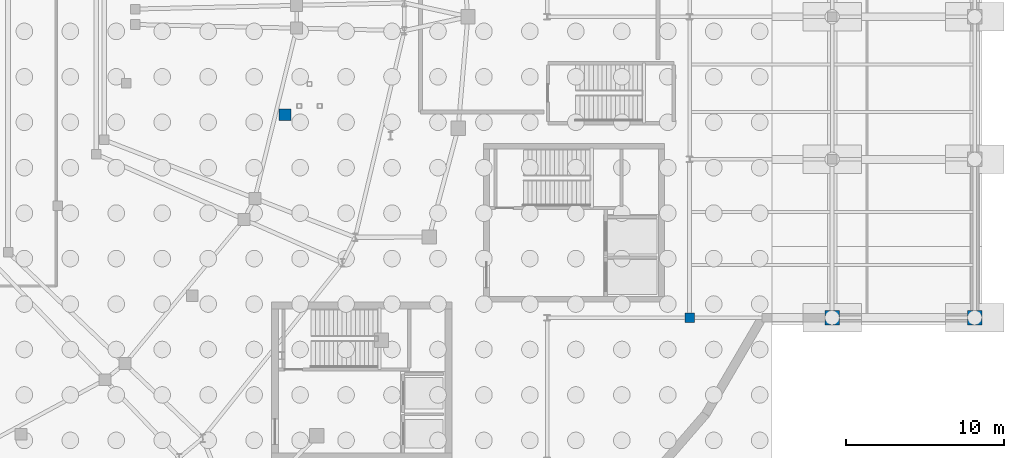
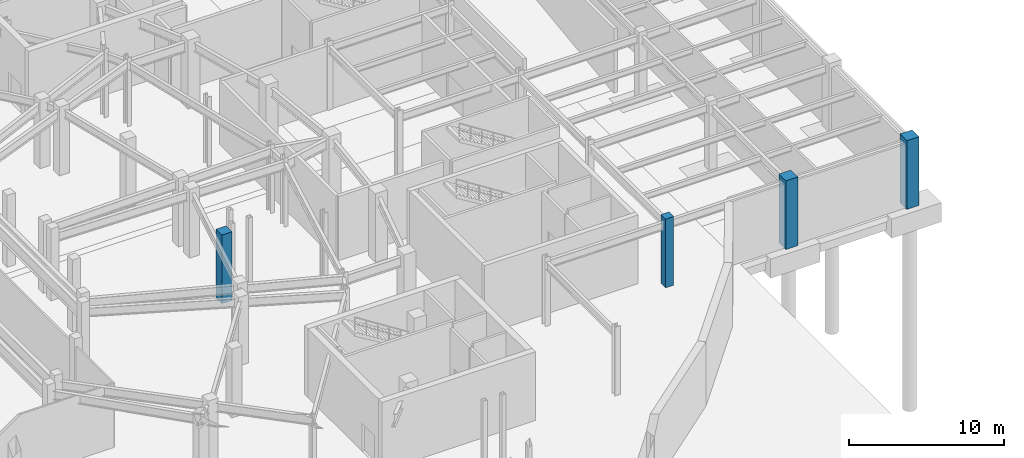
# One storey, part 26 of 56: 4 columns.
"""IFC4 building model written with IfcOpenShell, lengths in metres."""

from ifc_helpers import new_model, si_unit, direction, frame, origin, origin_2d, place, context, subcontext, project, spatial, rectangle, extrude, material, material_profile, profile_set, type_object, element, save


model = new_model("IFC4")

# Units and contexts
model_context = context("Model", 3, precision=1e-05, world=origin(), true_north=direction((0.0, 1.0)))
body_context = subcontext(model_context, "Body", "Model", "MODEL_VIEW")
ifc_project = project(units=[si_unit("LENGTHUNIT", "METRE"), si_unit("AREAUNIT", "SQUARE_METRE"), si_unit("VOLUMEUNIT", "CUBIC_METRE"), si_unit("PLANEANGLEUNIT", "RADIAN"), si_unit("MASSUNIT", "GRAM", prefix="KILO")], contexts=[model_context])

# Site, building, storey
site_placement = place(None, origin())
site = spatial("IfcSite", under=ifc_project, at=site_placement, CompositionType="ELEMENT")
building_placement = place(site_placement, origin())
building = spatial("IfcBuilding", under=site, at=building_placement, Name="Glasvene Arena", CompositionType="ELEMENT")
storey_placement = place(building_placement, frame((0.0, 0.0, -5.39990234375)))
storey = spatial("IfcBuildingStorey", under=building, at=storey_placement, Name="B1", CompositionType="ELEMENT", Elevation=-5.39990234375)

# Columns
ifc_material = material(Name="Concrete C40/50", Category="concrete")
ifc_material_profile_1 = material_profile(ifc_material, rectangle(XDim=0.89990234375, YDim=0.89990234375, at=origin_2d()), Name="RC 900x900")
ifc_profile_set_1 = profile_set([ifc_material_profile_1], Name="Concrete C40/50")
column_type_1 = type_object("IfcColumnType", Name="COL-BOWL-RC900", PredefinedType="COLUMN", material=ifc_profile_set_1)
for number, where, z_axis, x_axis, name in (
    (1, (165.0, 54.0, 0.0), (0.0, 0.0, 1.0), (1.0, 0.0, 0.0), "Grid column 19-7 B1"),
    (2, (174.0, 54.0, 0.0), (0.0, 0.0, 1.0), (1.0, 0.0, 0.0), "Grid column 20-7 B1"),
):
    element("IfcColumn", number, at=place(storey_placement, frame(where, z_axis=z_axis, x_axis=x_axis)), inside=storey, type_object=column_type_1, Name=name, PredefinedType="COLUMN", context=body_context, shape_type="SweptSolid", body=[
        extrude(rectangle(XDim=0.89990234375, YDim=0.89990234375, at=origin_2d()), origin(), (0.0, 0.0, 1.0), 5.39990234375),
    ])
ifc_material_profile_2 = material_profile(ifc_material, rectangle(XDim=0.60009765625, YDim=0.60009765625, at=origin_2d()), Name="RC 600x600")
ifc_profile_set_2 = profile_set([ifc_material_profile_2], Name="Concrete C40/50")
column_type_2 = type_object("IfcColumnType", Name="COL-IN-RC600", PredefinedType="COLUMN", material=ifc_profile_set_2)
column_1_placement = place(storey_placement, frame((156.0, 54.0, 0.0), z_axis=(0.0, 0.0, 1.0), x_axis=(1.0, 0.0, 0.0)))
element("IfcColumn", 3, at=column_1_placement, inside=storey, type_object=column_type_2, Name="Grid column 18-7 B1", PredefinedType="COLUMN", context=body_context, shape_type="SweptSolid", body=[
    extrude(rectangle(XDim=0.60009765625, YDim=0.60009765625, at=origin_2d()), origin(), (0.0, 0.0, 1.0), 5.39990234375),
])
ifc_material_profile_3 = material_profile(ifc_material, rectangle(XDim=0.75, YDim=0.75, at=origin_2d()), Name="RC 750x750")
ifc_profile_set_3 = profile_set([ifc_material_profile_3], Name="Concrete C40/50")
column_type_3 = type_object("IfcColumnType", Name="COL-MID-RC750", PredefinedType="COLUMN", material=ifc_profile_set_3)
column_2_placement = place(storey_placement, frame((130.44677734375, 66.815673828125, 0.0), z_axis=(0.0, 0.0, 1.0), x_axis=(1.0, 0.0, 0.0)))
element("IfcColumn", 4, at=column_2_placement, inside=storey, type_object=column_type_3, Name="Mid-sector fulcrum column B1 16", PredefinedType="COLUMN", context=body_context, shape_type="SweptSolid", body=[
    extrude(rectangle(XDim=0.75, YDim=0.75, at=origin_2d()), origin(), (0.0, 0.0, 1.0), 5.39990234375),
])

save(model, "model.ifc")
